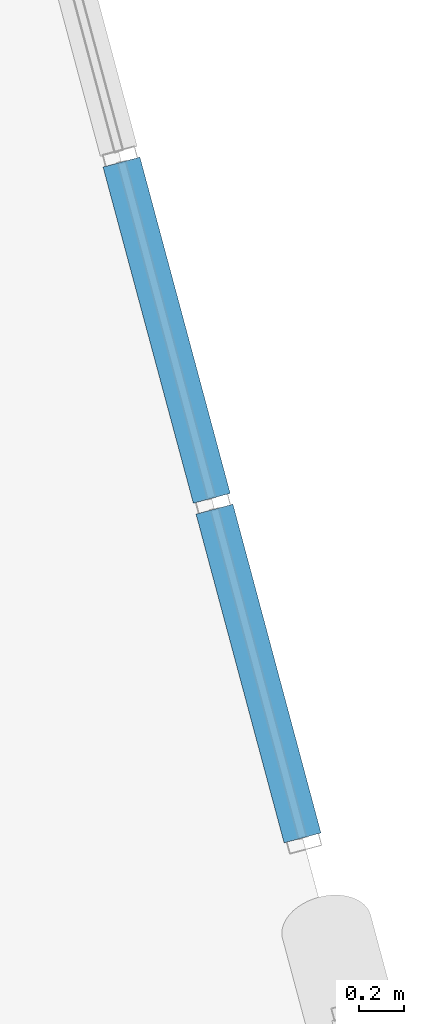
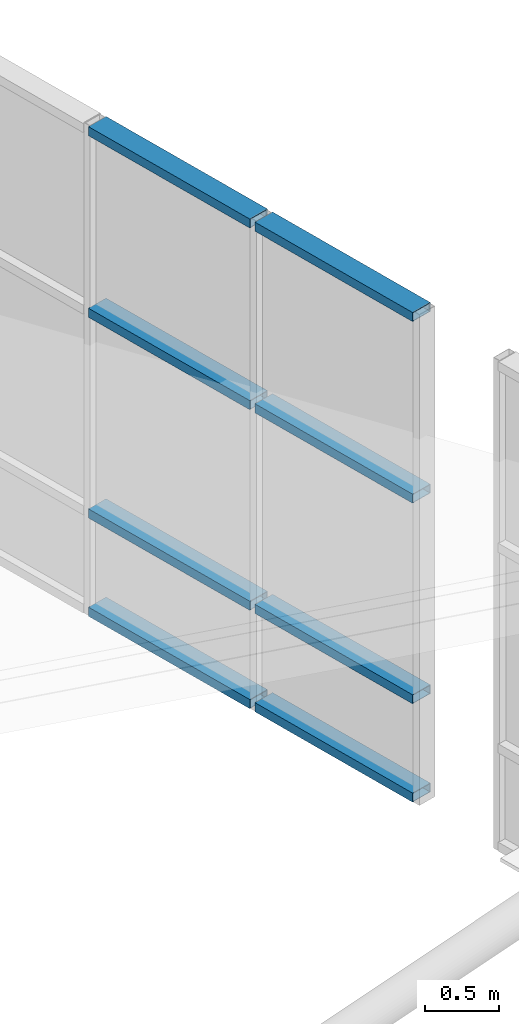
# One storey, part 20 of 28: 8 members, 1 element without a shape of its own.
"""IFC4 building model written with IfcOpenShell, lengths in metres."""

import ifcopenshell
import ifcopenshell.guid

model = None  # the IFC model being written
_history = None  # IfcOwnerHistory: only IFC2X3 demands one
_inside = {}  # id of a spatial element -> (the spatial element, [elements in it])
_under = {}  # id of a project, library or spatial element -> (it, [spatial elements below it])
_declared = {}  # id of a project -> (the project, [libraries it declares])
_typed = {}  # id of a type object -> (the type object, [elements of that type])
_made_of = {}  # id of a material, layer set ... -> (it, [elements and type objects made of it])


def new_model(schema):
    """Start an empty IFC model of exactly this schema.

    Asked for "IFC4X3", IfcOpenShell would pick the latest addendum, in which some entities
    have other attributes; the version numbers below select the first issue.
    IFC2X3 requires an IfcOwnerHistory on every rooted entity: one is made here for all.
    """
    global model, _history
    if schema == "IFC4X3":
        model = ifcopenshell.file(schema_version=(4, 3, 0, 0))
    else:
        model = ifcopenshell.file(schema=schema)
    _inside.clear()
    _under.clear()
    _declared.clear()
    _typed.clear()
    _made_of.clear()
    _history = None
    if model.schema == "IFC2X3":
        org = make("IfcOrganization", Name="unknown")
        user = make(
            "IfcPersonAndOrganization",
            ThePerson=make("IfcPerson", FamilyName="unknown"),
            TheOrganization=org,
        )
        app = make(
            "IfcApplication",
            ApplicationDeveloper=org,
            Version="unknown",
            ApplicationFullName="unknown",
            ApplicationIdentifier="unknown",
        )
        _history = make(
            "IfcOwnerHistory",
            OwningUser=user,
            OwningApplication=app,
            ChangeAction="ADDED",
            CreationDate=0,
        )
    return model


def make(cls, **values):
    """One entity of the class cls with the attributes given. An attribute that is None is left unset."""
    return model.create_entity(
        cls, **{name: value for name, value in values.items() if value is not None}
    )


def rooted(cls, **values):
    """An entity with a GlobalId (a new one), such as an element, a storey or a relation."""
    return make(cls, GlobalId=ifcopenshell.guid.new(), OwnerHistory=_history, **values)


def si_unit(unit_type, name, prefix=None):
    """IfcSIUnit, for example si_unit("LENGTHUNIT", "METRE", prefix="MILLI")."""
    return make("IfcSIUnit", UnitType=unit_type, Prefix=prefix, Name=name)


def assignment(units):
    """IfcUnitAssignment: the units of a project."""
    return None if units is None else make("IfcUnitAssignment", Units=units)


def point(xyz):
    """IfcCartesianPoint."""
    return None if xyz is None else make("IfcCartesianPoint", Coordinates=xyz)


def direction(xyz):
    """IfcDirection."""
    return None if xyz is None else make("IfcDirection", DirectionRatios=xyz)


def frame(location, z_axis=None, x_axis=None):
    """IfcAxis2Placement3D, a coordinate frame: its origin and axes. An axis left out is left unset."""
    return make(
        "IfcAxis2Placement3D",
        Location=point(location),
        Axis=direction(z_axis),
        RefDirection=direction(x_axis),
    )


def frame_2d(location, x_axis=None):
    """IfcAxis2Placement2D, a coordinate frame in the plane: its origin and x axis."""
    return make(
        "IfcAxis2Placement2D", Location=point(location), RefDirection=direction(x_axis)
    )


def origin():
    """The frame at (0, 0, 0) with its axes left unset."""
    return frame((0.0, 0.0, 0.0))


def origin_2d():
    """The frame at (0, 0) in the plane with its x axis left unset."""
    return frame_2d((0.0, 0.0))


def place(relative_to, where):
    """IfcLocalPlacement: puts the frame where relative to a parent placement (None: the world)."""
    return make(
        "IfcLocalPlacement", PlacementRelTo=relative_to, RelativePlacement=where
    )


def context(
    kind, dimensions, precision=None, world=None, true_north=None, identifier=None
):
    """IfcGeometricRepresentationContext, for example the 3D "Model" context."""
    return make(
        "IfcGeometricRepresentationContext",
        ContextIdentifier=identifier,
        ContextType=kind,
        CoordinateSpaceDimension=dimensions,
        Precision=precision,
        WorldCoordinateSystem=world,
        TrueNorth=true_north,
    )


def subcontext(parent, identifier, kind, view, scale=None):
    """IfcGeometricRepresentationSubContext, for example "Body" below "Model"."""
    return make(
        "IfcGeometricRepresentationSubContext",
        ContextIdentifier=identifier,
        ContextType=kind,
        ParentContext=parent,
        TargetScale=scale,
        TargetView=view,
    )


def project(units=None, contexts=None):
    """IfcProject with its units and contexts."""
    return rooted(
        "IfcProject",
        Name="project",
        RepresentationContexts=contexts,
        UnitsInContext=assignment(units),
    )


def spatial(cls, under=None, at=None, **own):
    """A site, building, storey or space (cls), placed at a placement, below another one or the project."""
    s = rooted(cls, ObjectPlacement=at, **own)
    if under is not None:
        _under.setdefault(under.id(), (under, []))[1].append(s)
    return s


def profile(cls, at=None, kind="AREA", **sizes):
    """A parametric profile (cls). Its sizes go by their IFC names, for example OverallWidth=200.0."""
    return make(cls, ProfileType=kind, Position=at, **sizes)


def hollow_rectangle(**sizes):
    """IfcRectangleHollowProfileDef."""
    return profile("IfcRectangleHollowProfileDef", **sizes)


def extrude(swept, where, along, depth):
    """IfcExtrudedAreaSolid: the profile swept, set in the frame where, extruded along a direction by depth."""
    return make(
        "IfcExtrudedAreaSolid",
        SweptArea=swept,
        Position=where,
        ExtrudedDirection=direction(along),
        Depth=depth,
    )


def shape(context_of_items, identifier, shape_type, items):
    """IfcShapeRepresentation: the items that make up one representation, for example the "Body"."""
    return make(
        "IfcShapeRepresentation",
        ContextOfItems=context_of_items,
        RepresentationIdentifier=identifier,
        RepresentationType=shape_type,
        Items=items,
    )


def material(Name=None, Category=None):
    """IfcMaterial."""
    return make("IfcMaterial", Name=Name, Category=Category)


def layer(
    of_material, thickness, ventilated=None, Name=None, Category=None, Priority=None
):
    """IfcMaterialLayer: one layer of a wall or slab, of a material (None: an air gap)."""
    return make(
        "IfcMaterialLayer",
        Material=of_material,
        LayerThickness=thickness,
        IsVentilated=ventilated,
        Name=Name,
        Category=Category,
        Priority=Priority,
    )


def layer_set(layers, Name=None):
    """IfcMaterialLayerSet."""
    return make("IfcMaterialLayerSet", MaterialLayers=layers, LayerSetName=Name)


def material_profile(
    of_material, cross_section, Name=None, Category=None, Priority=None
):
    """IfcMaterialProfile: a cross section and its material."""
    return make(
        "IfcMaterialProfile",
        Name=Name,
        Material=of_material,
        Profile=cross_section,
        Priority=Priority,
        Category=Category,
    )


def profile_set(profiles, Name=None, composite=None):
    """IfcMaterialProfileSet."""
    return make(
        "IfcMaterialProfileSet",
        Name=Name,
        MaterialProfiles=profiles,
        CompositeProfile=composite,
    )


def made_of(thing, what):
    """Note that an element or type object is made of a material, layer set ...; save() writes the relation."""
    if what is not None:
        _made_of.setdefault(what.id(), (what, []))[1].append(thing)
    return thing


def type_object(cls, material=None, **own):
    """A type object (cls), such as IfcWallType, which elements share."""
    return made_of(rooted(cls, **own), material)


def element(
    cls,
    number,
    at=None,
    inside=None,
    cuts=None,
    type_object=None,
    material=None,
    context=None,
    identifier="Body",
    shape_type=None,
    held_by="IfcProductDefinitionShape",
    body=None,
    shapes=None,
    **own,
):
    """One element of the class cls, such as IfcWall. Its Tag is "e" and its number.

    at: its placement. inside: the storey or other place that contains it. cuts: it is an
    opening in that element (IfcRelVoidsElement). A single representation is given by context,
    identifier, shape_type and body (its items); several are given by shapes. held_by: the class
    of the entity that holds the representations. save() writes the other relations.
    """
    e = rooted(cls, Tag="e%d" % number, ObjectPlacement=at, **own)
    if body is not None:
        shapes = [shape(context, identifier, shape_type, body)]
    if shapes is not None:
        e.Representation = make(held_by, Representations=shapes)
    if inside is not None:
        _inside.setdefault(inside.id(), (inside, []))[1].append(e)
    if cuts is not None:
        rooted(
            "IfcRelVoidsElement", RelatingBuildingElement=cuts, RelatedOpeningElement=e
        )
    if type_object is not None:
        _typed.setdefault(type_object.id(), (type_object, []))[1].append(e)
    return made_of(e, material)


def aggregate(whole, parts):
    """IfcRelAggregates: a whole, such as a stair, and the parts it consists of."""
    return rooted("IfcRelAggregates", RelatingObject=whole, RelatedObjects=parts)


def save(model, path):
    """Write the relations noted so far, then the file.

    IfcRelAggregates (storeys below a building ...), IfcRelContainedInSpatialStructure (elements
    in a storey), IfcRelDefinesByType, IfcRelAssociatesMaterial and IfcRelDeclares: one each for
    every whole, place, type object, material and project.
    """
    for whole, parts in _under.values():
        aggregate(whole, parts)
    for where, things in _inside.values():
        rooted(
            "IfcRelContainedInSpatialStructure",
            RelatedElements=things,
            RelatingStructure=where,
        )
    for kind, things in _typed.values():
        rooted("IfcRelDefinesByType", RelatedObjects=things, RelatingType=kind)
    for what, things in _made_of.values():
        rooted("IfcRelAssociatesMaterial", RelatedObjects=things, RelatingMaterial=what)
    for by, libraries in _declared.values():
        rooted("IfcRelDeclares", RelatingContext=by, RelatedDefinitions=libraries)
    model.write(path)


model = new_model("IFC4")

# Units and contexts
model_context = context("Model", 3, precision=1e-05, world=origin(), true_north=direction((0.0, 1.0)))
body_context = subcontext(model_context, "Body", "Model", "MODEL_VIEW")
ifc_project = project(units=[si_unit("LENGTHUNIT", "METRE"), si_unit("AREAUNIT", "SQUARE_METRE"), si_unit("VOLUMEUNIT", "CUBIC_METRE"), si_unit("PLANEANGLEUNIT", "RADIAN"), si_unit("MASSUNIT", "GRAM", prefix="KILO")], contexts=[model_context])

# Site, building, storey
site_placement = place(None, origin())
site = spatial("IfcSite", under=ifc_project, at=site_placement, CompositionType="ELEMENT")
building_placement = place(site_placement, origin())
building = spatial("IfcBuilding", under=site, at=building_placement, Name="Ventoquebrada Cableway Terminal", CompositionType="ELEMENT")
storey_placement = place(building_placement, frame((0.0, 0.0, 23.39990234375)))
storey = spatial("IfcBuildingStorey", under=building, at=storey_placement, Name="RF", CompositionType="ELEMENT", Elevation=23.39990234375)

# Curtain wall, members
ifc_material = material(Name="Anodized thermally-broken aluminium", Category="aluminium")
ifc_layer = layer(ifc_material, 0.159912109375)
ifc_layer_set = layer_set([ifc_layer], Name="Anodized thermally-broken aluminium")
curtain_wall_type = type_object("IfcCurtainWallType", Name="CW-T49", PredefinedType="USERDEFINED", material=ifc_layer_set)
curtain_wall_placement = place(storey_placement, origin())
curtain_wall = element("IfcCurtainWall", 1, at=curtain_wall_placement, inside=storey, type_object=curtain_wall_type, Name="Unitised glazed curtain wall CW-168", ObjectType="UNITISED CURTAIN WALL", PredefinedType="USERDEFINED")
ifc_material_profile = material_profile(ifc_material, hollow_rectangle(XDim=0.074951171875, YDim=0.169921875, WallThickness=0.00439453125, at=origin_2d()), Name="CW-TRN-75X170")
ifc_profile_set = profile_set([ifc_material_profile], Name="Anodized thermally-broken aluminium")
member_type = type_object("IfcMemberType", Name="CWT-03", PredefinedType="USERDEFINED", material=ifc_profile_set)
member_1_placement = place(storey_placement, frame((81.339111328125, 99.299072265625, -0.02001953125), z_axis=(-0.258725348456, 0.965950927359, 0.0), x_axis=(0.0, 0.0, 1.0)))
member_1 = element("IfcMember", 2, at=member_1_placement, type_object=member_type, Name="Curtain wall transom FTR-2384", ObjectType="TRANSOM", PredefinedType="USERDEFINED", context=body_context, shape_type="SweptSolid", body=[
    extrude(hollow_rectangle(XDim=0.074951171875, YDim=0.169921875, WallThickness=0.00439453125, at=origin_2d()), origin(), (0.0, 0.0, 1.0), 1.515380859375),
])
member_2_placement = place(storey_placement, frame((81.339111328125, 99.299072265625, 0.795166015625), z_axis=(-0.258725348456, 0.965950927359, 0.0), x_axis=(0.0, 0.0, 1.0)))
member_2 = element("IfcMember", 3, at=member_2_placement, type_object=member_type, Name="Curtain wall transom FTR-2385", ObjectType="TRANSOM", PredefinedType="USERDEFINED", context=body_context, shape_type="SweptSolid", body=[
    extrude(hollow_rectangle(XDim=0.074951171875, YDim=0.169921875, WallThickness=0.00439453125, at=origin_2d()), origin(), (0.0, 0.0, 1.0), 1.515380859375),
])
member_3_placement = place(storey_placement, frame((81.339111328125, 99.299072265625, 2.458984375), z_axis=(-0.258725348456, 0.965950927359, 0.0), x_axis=(0.0, 0.0, 1.0)))
member_3 = element("IfcMember", 4, at=member_3_placement, type_object=member_type, Name="Curtain wall transom FTR-2386", ObjectType="TRANSOM", PredefinedType="USERDEFINED", context=body_context, shape_type="SweptSolid", body=[
    extrude(hollow_rectangle(XDim=0.074951171875, YDim=0.169921875, WallThickness=0.00439453125, at=origin_2d()), origin(), (0.0, 0.0, 1.0), 1.515380859375),
])
member_4_placement = place(storey_placement, frame((81.339111328125, 99.299072265625, 3.965087890625), z_axis=(-0.258725348456, 0.965950927359, 0.0), x_axis=(0.0, 0.0, 1.0)))
member_4 = element("IfcMember", 5, at=member_4_placement, type_object=member_type, Name="Curtain wall transom FTR-2387", ObjectType="TRANSOM", PredefinedType="USERDEFINED", context=body_context, shape_type="SweptSolid", body=[
    extrude(hollow_rectangle(XDim=0.074951171875, YDim=0.169921875, WallThickness=0.00439453125, at=origin_2d()), origin(), (0.0, 0.0, 1.0), 1.515380859375),
])
member_5_placement = place(storey_placement, frame((80.93505859375, 100.81103515625, -0.02001953125), z_axis=(-0.259397314556, 0.965770693903, 0.0), x_axis=(0.0, 0.0, 1.0)))
member_5 = element("IfcMember", 6, at=member_5_placement, type_object=member_type, Name="Curtain wall transom FTR-2388", ObjectType="TRANSOM", PredefinedType="USERDEFINED", context=body_context, shape_type="SweptSolid", body=[
    extrude(hollow_rectangle(XDim=0.074951171875, YDim=0.169921875, WallThickness=0.00439453125, at=origin_2d()), origin(), (0.0, 0.0, 1.0), 1.550048828125),
])
member_6_placement = place(storey_placement, frame((80.93505859375, 100.81103515625, 0.795166015625), z_axis=(-0.259397314556, 0.965770693903, 0.0), x_axis=(0.0, 0.0, 1.0)))
member_6 = element("IfcMember", 7, at=member_6_placement, type_object=member_type, Name="Curtain wall transom FTR-2389", ObjectType="TRANSOM", PredefinedType="USERDEFINED", context=body_context, shape_type="SweptSolid", body=[
    extrude(hollow_rectangle(XDim=0.074951171875, YDim=0.169921875, WallThickness=0.00439453125, at=origin_2d()), origin(), (0.0, 0.0, 1.0), 1.550048828125),
])
member_7_placement = place(storey_placement, frame((80.93505859375, 100.81103515625, 2.458984375), z_axis=(-0.259397314556, 0.965770693903, 0.0), x_axis=(0.0, 0.0, 1.0)))
member_7 = element("IfcMember", 8, at=member_7_placement, type_object=member_type, Name="Curtain wall transom FTR-2390", ObjectType="TRANSOM", PredefinedType="USERDEFINED", context=body_context, shape_type="SweptSolid", body=[
    extrude(hollow_rectangle(XDim=0.074951171875, YDim=0.169921875, WallThickness=0.00439453125, at=origin_2d()), origin(), (0.0, 0.0, 1.0), 1.550048828125),
])
member_8_placement = place(storey_placement, frame((80.93505859375, 100.81103515625, 3.965087890625), z_axis=(-0.259397314556, 0.965770693903, 0.0), x_axis=(0.0, 0.0, 1.0)))
member_8 = element("IfcMember", 9, at=member_8_placement, type_object=member_type, Name="Curtain wall transom FTR-2391", ObjectType="TRANSOM", PredefinedType="USERDEFINED", context=body_context, shape_type="SweptSolid", body=[
    extrude(hollow_rectangle(XDim=0.074951171875, YDim=0.169921875, WallThickness=0.00439453125, at=origin_2d()), origin(), (0.0, 0.0, 1.0), 1.550048828125),
])
aggregate(curtain_wall, [member_1, member_2, member_3, member_4, member_5, member_6, member_7, member_8])

save(model, "model.ifc")
